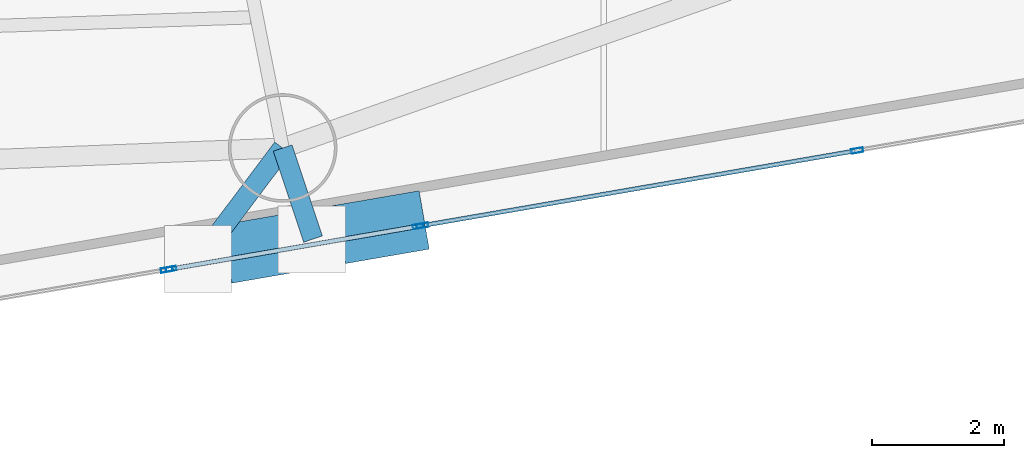
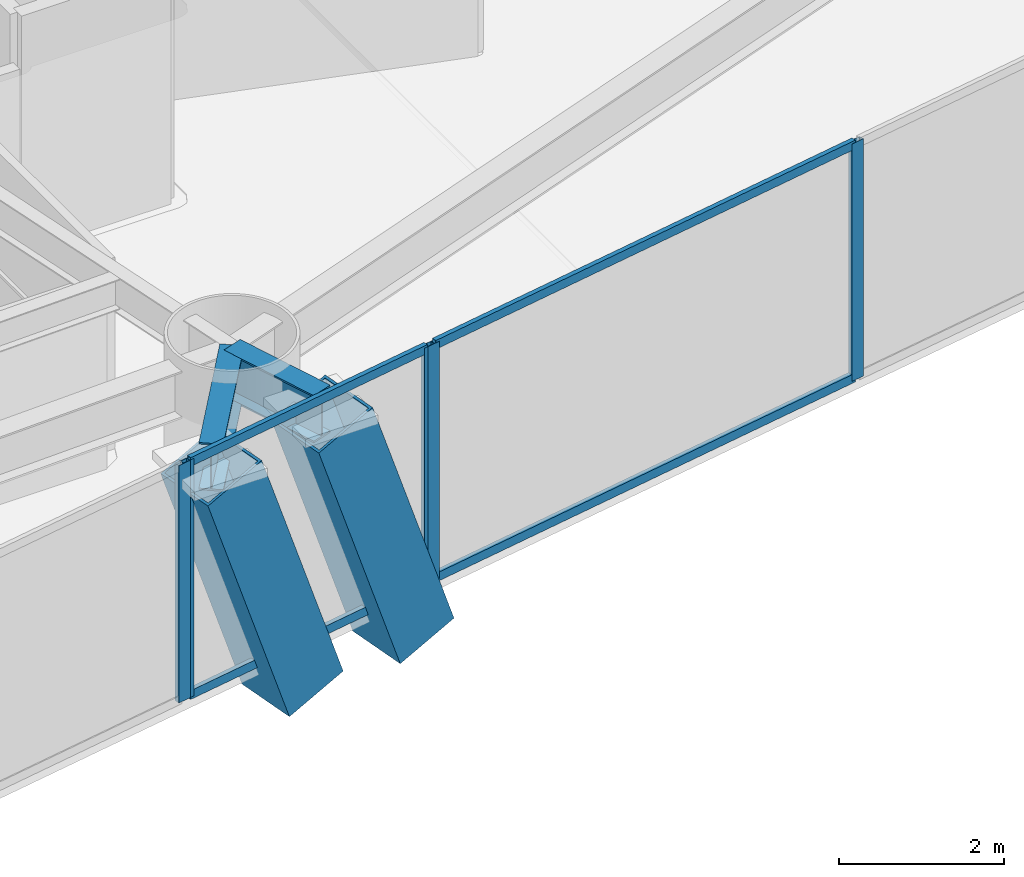
# One storey, part 5 of 23: 11 members, 2 beams, 3 elements without a shape of their own.
"""IFC4 building model written with IfcOpenShell, lengths in metres."""

from ifc_helpers import new_model, si_unit, direction, frame, origin, origin_2d, place, context, subcontext, project, spatial, hollow_rectangle, i_section, extrude, material, layer, layer_set, material_profile, profile_set, type_object, element, aggregate, save


model = new_model("IFC4")

# Units and contexts
model_context = context("Model", 3, precision=1e-05, world=origin(), true_north=direction((0.0, 1.0)))
body_context = subcontext(model_context, "Body", "Model", "MODEL_VIEW")
ifc_project = project(units=[si_unit("LENGTHUNIT", "METRE"), si_unit("AREAUNIT", "SQUARE_METRE"), si_unit("VOLUMEUNIT", "CUBIC_METRE"), si_unit("PLANEANGLEUNIT", "RADIAN"), si_unit("MASSUNIT", "GRAM", prefix="KILO")], contexts=[model_context])

# Site, building, storey
site_placement = place(None, origin())
site = spatial("IfcSite", under=ifc_project, at=site_placement, CompositionType="ELEMENT")
building_placement = place(site_placement, origin())
building = spatial("IfcBuilding", under=site, at=building_placement, Name="Qianvela Tower", CompositionType="ELEMENT")
storey_placement = place(building_placement, frame((0.0, 0.0, 82.10009765625)))
storey = spatial("IfcBuildingStorey", under=building, at=storey_placement, Name="L20", CompositionType="ELEMENT", Elevation=82.10009765625)

# Beams
ifc_material_1 = material(Name="Steel Q355B", Category="steel")
ifc_material_profile_1 = material_profile(ifc_material_1, i_section(OverallWidth=0.300048828125, OverallDepth=0.699951171875, WebThickness=0.012939453125, FlangeThickness=0.02392578125, at=origin_2d()), Name="HN700x300x13x24")
ifc_profile_set_1 = profile_set([ifc_material_profile_1], Name="Steel Q355B")
beam_type = type_object("IfcBeamType", Name="BM-HN700-SPAND", PredefinedType="SPANDREL", material=ifc_profile_set_1)
beam_1_placement = place(storey_placement, frame((40.18896484375, 14.819091796875, 3.16796875), z_axis=(-0.600760537385, -0.799429031698, 0.0), x_axis=(0.799429031698, -0.600760537385, 0.0)))
element("IfcBeam", 1, at=beam_1_placement, inside=storey, type_object=beam_type, Name="L20 Mega-Brace Column Tie Bracket F3-1", PredefinedType="SPANDREL", context=body_context, shape_type="SweptSolid", body=[
    extrude(i_section(OverallWidth=0.300048828125, OverallDepth=0.699951171875, WebThickness=0.012939453125, FlangeThickness=0.02392578125, at=origin_2d()), origin(), (0.0, 0.0, 1.0), 2.10498046875),
])
beam_2_placement = place(storey_placement, frame((40.18896484375, 14.819091796875, 3.16796875), z_axis=(0.316729405124, -0.948515937626, 0.0), x_axis=(0.948515937626, 0.316729405124, 0.0)))
element("IfcBeam", 2, at=beam_2_placement, inside=storey, type_object=beam_type, Name="L20 Mega-Brace Column Tie Bracket F3-2", PredefinedType="SPANDREL", context=body_context, shape_type="SweptSolid", body=[
    extrude(i_section(OverallWidth=0.300048828125, OverallDepth=0.699951171875, WebThickness=0.012939453125, FlangeThickness=0.02392578125, at=origin_2d()), origin(), (0.0, 0.0, 1.0), 1.4599609375),
])

# Curtain wall, members
ifc_material_2 = material(Name="Anodised Architectural Aluminium and Insulated Spandrel Panel", Category="aluminium")
ifc_layer_1 = layer(ifc_material_2, 0.179931640625)
ifc_layer_set_1 = layer_set([ifc_layer_1], Name="Anodised Architectural Aluminium and Insulated Spandrel Panel")
curtain_wall_type_1 = type_object("IfcCurtainWallType", Name="CW-BRACEBAY", PredefinedType="USERDEFINED", material=ifc_layer_set_1)
curtain_wall_1_placement = place(storey_placement, origin())
curtain_wall_1 = element("IfcCurtainWall", 3, at=curtain_wall_1_placement, inside=storey, type_object=curtain_wall_type_1, Name="L20 CW-BRACEBAY Curtain Wall 06B", ObjectType="CURTAIN_WALL_SYSTEM", PredefinedType="USERDEFINED")
ifc_material_3 = material(Name="Anodised Architectural Aluminium 6063-T6", Category="aluminium")
ifc_material_profile_2 = material_profile(ifc_material_3, hollow_rectangle(XDim=0.06494140625, YDim=0.159912109375, WallThickness=0.0048828125, at=origin_2d()), Name="ALU-MULL-65x160")
ifc_profile_set_2 = profile_set([ifc_material_profile_2], Name="Anodised Architectural Aluminium 6063-T6")
member_type_1 = type_object("IfcMemberType", Name="CW-BRACEBAY-MULL", PredefinedType="MULLION", material=ifc_profile_set_2)
member_1_placement = place(storey_placement, frame((38.49560546875, 12.98095703125, 0.0), z_axis=(0.0, 0.0, 1.0), x_axis=(-0.170103337302, 0.985426229932, 0.0)))
member_1 = element("IfcMember", 4, at=member_1_placement, type_object=member_type_1, Name="CW-9 mullion 1", PredefinedType="MULLION", context=body_context, shape_type="SweptSolid", body=[
    extrude(hollow_rectangle(XDim=0.06494140625, YDim=0.159912109375, WallThickness=0.0048828125, at=origin_2d()), origin(), (0.0, 0.0, 1.0), 3.52001953125),
])
member_2_placement = place(storey_placement, frame((42.2451171875, 13.628173828125, 0.0), z_axis=(0.0, 0.0, 1.0), x_axis=(-0.170103337302, 0.985426229932, 0.0)))
member_2 = element("IfcMember", 5, at=member_2_placement, type_object=member_type_1, Name="CW-9 mullion 2", PredefinedType="MULLION", context=body_context, shape_type="SweptSolid", body=[
    extrude(hollow_rectangle(XDim=0.06494140625, YDim=0.159912109375, WallThickness=0.0048828125, at=origin_2d()), origin(), (0.0, 0.0, 1.0), 3.52001953125),
])
ifc_material_4 = material(Name="Anodised Architectural Aluminium 6063-T6", Category="aluminium")
ifc_material_profile_3 = material_profile(ifc_material_4, hollow_rectangle(XDim=0.06494140625, YDim=0.1298828125, WallThickness=0.00439453125, at=origin_2d()), Name="ALU-TRAN-65x130")
ifc_profile_set_3 = profile_set([ifc_material_profile_3], Name="Anodised Architectural Aluminium 6063-T6")
member_type_2 = type_object("IfcMemberType", Name="CW-BRACEBAY-TRAN", PredefinedType="USERDEFINED", material=ifc_profile_set_3)
member_3_placement = place(storey_placement, frame((38.527587890625, 12.986572265625, 0.032470703125), z_axis=(0.98542466674, 0.170112392788, 0.0), x_axis=(-0.170112392788, 0.98542466674, 0.0)))
member_3 = element("IfcMember", 6, at=member_3_placement, type_object=member_type_2, Name="CW-9 transom 1.1", ObjectType="TRANSOM", PredefinedType="USERDEFINED", context=body_context, shape_type="SweptSolid", body=[
    extrude(hollow_rectangle(XDim=0.06494140625, YDim=0.1298828125, WallThickness=0.00439453125, at=origin_2d()), origin(), (0.0, 0.0, 1.0), 3.739990234375),
])
member_4_placement = place(storey_placement, frame((38.527587890625, 12.986572265625, 3.4873046875), z_axis=(0.98542466674, 0.170112392788, 0.0), x_axis=(-0.170112392788, 0.98542466674, 0.0)))
member_4 = element("IfcMember", 7, at=member_4_placement, type_object=member_type_2, Name="CW-9 transom 1.2", ObjectType="TRANSOM", PredefinedType="USERDEFINED", context=body_context, shape_type="SweptSolid", body=[
    extrude(hollow_rectangle(XDim=0.06494140625, YDim=0.1298828125, WallThickness=0.00439453125, at=origin_2d()), origin(), (0.0, 0.0, 1.0), 3.739990234375),
])
aggregate(curtain_wall_1, [member_1, member_2, member_3, member_4])

# Curtain wall, member
ifc_material_5 = material(Name="Anodised Architectural Aluminium and Low-E Glass", Category="aluminium")
ifc_layer_2 = layer(ifc_material_5, 0.179931640625)
ifc_layer_set_2 = layer_set([ifc_layer_2], Name="Anodised Architectural Aluminium and Low-E Glass")
curtain_wall_type_2 = type_object("IfcCurtainWallType", Name="CW-COLIV-Z12", PredefinedType="USERDEFINED", material=ifc_layer_set_2)
curtain_wall_2_placement = place(storey_placement, origin())
curtain_wall_2 = element("IfcCurtainWall", 8, at=curtain_wall_2_placement, inside=storey, type_object=curtain_wall_type_2, Name="L20 CW-COLIV-Z12 Curtain Wall 06A", ObjectType="CURTAIN_WALL_SYSTEM", PredefinedType="USERDEFINED")
ifc_material_6 = material(Name="Anodised Architectural Aluminium 6063-T6", Category="aluminium")
ifc_material_profile_4 = material_profile(ifc_material_6, hollow_rectangle(XDim=0.070068359375, YDim=0.179931640625, WallThickness=0.0048828125, at=origin_2d()), Name="ALU-MULL-70x180")
ifc_profile_set_4 = profile_set([ifc_material_profile_4], Name="Anodised Architectural Aluminium 6063-T6")
member_type_3 = type_object("IfcMemberType", Name="CW-COLIV-Z12-MULL", PredefinedType="MULLION", material=ifc_profile_set_4)
member_5_placement = place(storey_placement, frame((38.42919921875, 12.969482421875, 0.0), z_axis=(0.0, 0.0, 1.0), x_axis=(-0.170090466277, 0.98542845163, 0.0)))
member_5 = element("IfcMember", 9, at=member_5_placement, type_object=member_type_3, Name="CW-3 mullion 2", PredefinedType="MULLION", context=body_context, shape_type="SweptSolid", body=[
    extrude(hollow_rectangle(XDim=0.070068359375, YDim=0.179931640625, WallThickness=0.0048828125, at=origin_2d()), origin(), (0.0, 0.0, 1.0), 3.52001953125),
])
aggregate(curtain_wall_2, [member_5])

# Curtain wall, members
curtain_wall_3_placement = place(storey_placement, origin())
curtain_wall_3 = element("IfcCurtainWall", 10, at=curtain_wall_3_placement, inside=storey, type_object=curtain_wall_type_2, Name="L20 CW-COLIV-Z12 Curtain Wall 06C", ObjectType="CURTAIN_WALL_SYSTEM", PredefinedType="USERDEFINED")
member_6_placement = place(storey_placement, frame((42.311767578125, 13.6396484375, 0.0), z_axis=(0.0, 0.0, 1.0), x_axis=(-0.170086606517, 0.985429117838, 0.0)))
member_6 = element("IfcMember", 11, at=member_6_placement, type_object=member_type_3, Name="CW-3 mullion 1", PredefinedType="MULLION", context=body_context, shape_type="SweptSolid", body=[
    extrude(hollow_rectangle(XDim=0.070068359375, YDim=0.179931640625, WallThickness=0.0048828125, at=origin_2d()), origin(), (0.0, 0.0, 1.0), 3.52001953125),
])
member_7_placement = place(storey_placement, frame((48.916015625, 14.779541015625, 0.0), z_axis=(0.0, 0.0, 1.0), x_axis=(-0.170086606517, 0.985429117838, 0.0)))
member_7 = element("IfcMember", 12, at=member_7_placement, type_object=member_type_3, Name="CW-3 mullion 2", PredefinedType="MULLION", context=body_context, shape_type="SweptSolid", body=[
    extrude(hollow_rectangle(XDim=0.070068359375, YDim=0.179931640625, WallThickness=0.0048828125, at=origin_2d()), origin(), (0.0, 0.0, 1.0), 3.52001953125),
])
ifc_material_7 = material(Name="Anodised Architectural Aluminium 6063-T6", Category="aluminium")
ifc_material_profile_5 = material_profile(ifc_material_7, hollow_rectangle(XDim=0.06494140625, YDim=0.1298828125, WallThickness=0.00439453125, at=origin_2d()), Name="ALU-TRAN-65x130")
ifc_profile_set_5 = profile_set([ifc_material_profile_5], Name="Anodised Architectural Aluminium 6063-T6")
member_type_4 = type_object("IfcMemberType", Name="CW-COLIV-Z12-TRAN", PredefinedType="USERDEFINED", material=ifc_profile_set_5)
member_8_placement = place(storey_placement, frame((42.34619140625, 13.645751953125, 0.032470703125), z_axis=(0.985430343562, 0.170079504903, 0.0), x_axis=(-0.170079504903, 0.985430343562, 0.0)))
member_8 = element("IfcMember", 13, at=member_8_placement, type_object=member_type_4, Name="CW-3 transom 1.1", ObjectType="TRANSOM", PredefinedType="USERDEFINED", context=body_context, shape_type="SweptSolid", body=[
    extrude(hollow_rectangle(XDim=0.06494140625, YDim=0.1298828125, WallThickness=0.00439453125, at=origin_2d()), origin(), (0.0, 0.0, 1.0), 6.6318359375),
])
member_9_placement = place(storey_placement, frame((42.34619140625, 13.645751953125, 3.4873046875), z_axis=(0.985430343562, 0.170079504903, 0.0), x_axis=(-0.170079504903, 0.985430343562, 0.0)))
member_9 = element("IfcMember", 14, at=member_9_placement, type_object=member_type_4, Name="CW-3 transom 1.2", ObjectType="TRANSOM", PredefinedType="USERDEFINED", context=body_context, shape_type="SweptSolid", body=[
    extrude(hollow_rectangle(XDim=0.06494140625, YDim=0.1298828125, WallThickness=0.00439453125, at=origin_2d()), origin(), (0.0, 0.0, 1.0), 6.6318359375),
])
aggregate(curtain_wall_3, [member_6, member_7, member_8, member_9])

# Members
ifc_material_8 = material(Name="Steel Q420GJC", Category="steel")
ifc_material_profile_6 = material_profile(ifc_material_8, hollow_rectangle(XDim=0.89990234375, YDim=0.89990234375, WallThickness=0.035888671875, at=origin_2d()), Name="MBOX-900x900x36")
ifc_profile_set_6 = profile_set([ifc_material_profile_6], Name="Steel Q420GJC")
member_type_5 = type_object("IfcMemberType", Name="MBR-MBRACE-900", PredefinedType="BRACE", material=ifc_profile_set_6)
for number, where, z_axis, x_axis, name in (
    (15, (40.19287109375, 13.355224609375, -0.531982421875), (-0.323817175322, -0.055901463869, 0.944466761355), (0.170116491789, -0.985423959127, 0.0), "L20 Tier 3 Exterior Mega-Brace F3A"),
    (16, (41.919677734375, 13.6533203125, -0.531982421875), (-0.323761387933, -0.055902591911, 0.944485819852), (0.170148290058, -0.985418469175, 0.0), "L20 Tier 3 Exterior Mega-Brace F3B"),
):
    element("IfcMember", number, at=place(storey_placement, frame(where, z_axis=z_axis, x_axis=x_axis)), inside=storey, type_object=member_type_5, Name=name, PredefinedType="BRACE", context=body_context, shape_type="SweptSolid", body=[
        extrude(hollow_rectangle(XDim=0.89990234375, YDim=0.89990234375, WallThickness=0.035888671875, at=origin_2d()), origin(), (0.0, 0.0, 1.0), 3.91748046875),
    ])

save(model, "model.ifc")
